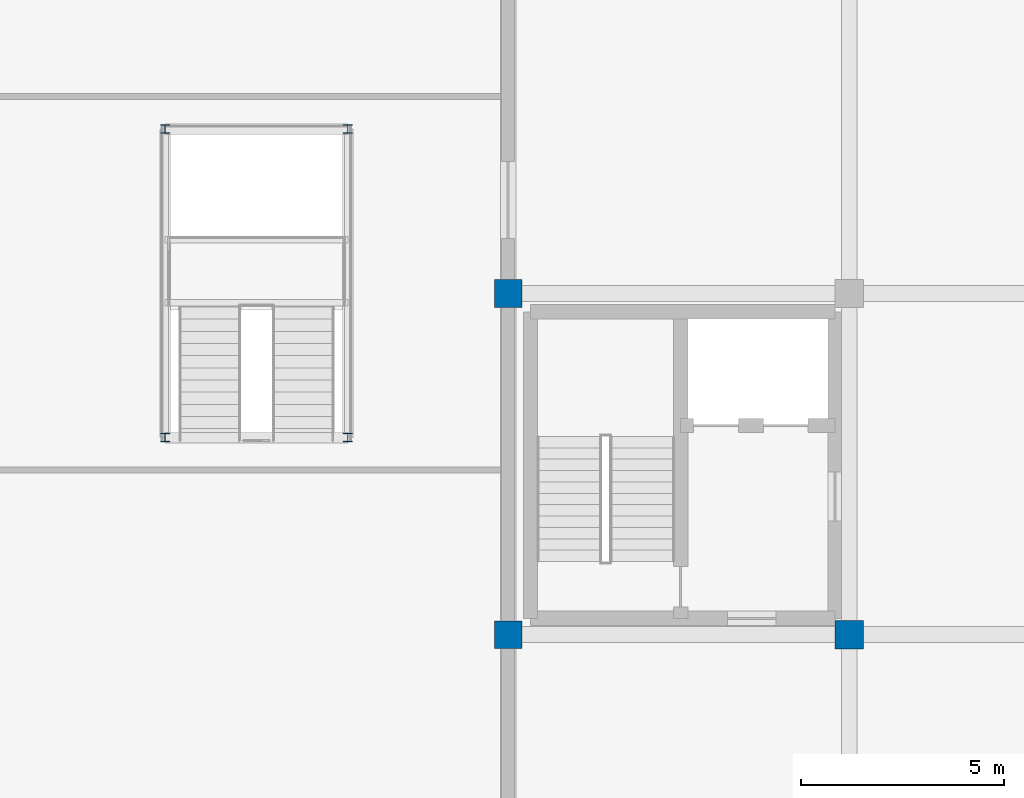
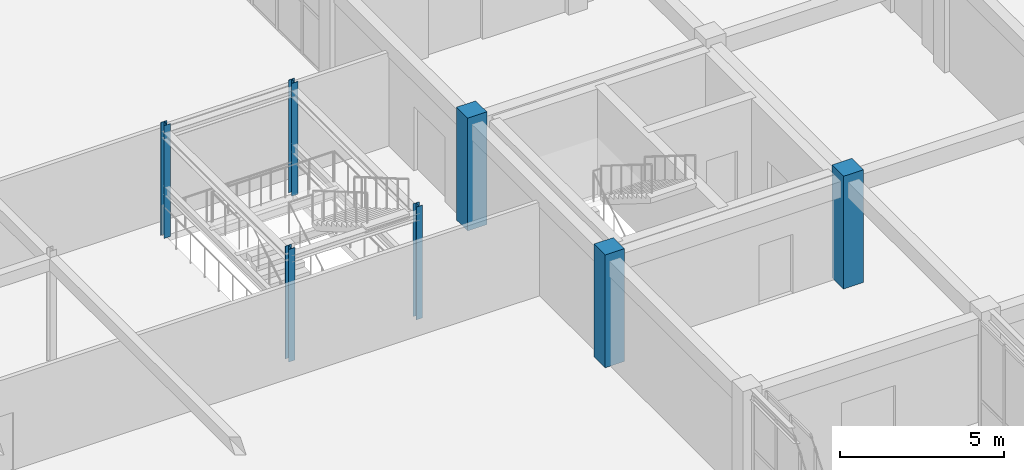
# One storey, part 4 of 140: 7 columns.
"""IFC4 building model written with IfcOpenShell, lengths in metres."""

from ifc_helpers import new_model, si_unit, direction, frame, origin, origin_2d, place, context, subcontext, project, spatial, rectangle, i_section, extrude, material, material_profile, profile_set, type_object, element, save


model = new_model("IFC4")

# Units and contexts
model_context = context("Model", 3, precision=1e-05, world=origin(), true_north=direction((0.0, 1.0)))
body_context = subcontext(model_context, "Body", "Model", "MODEL_VIEW")
ifc_project = project(units=[si_unit("LENGTHUNIT", "METRE"), si_unit("AREAUNIT", "SQUARE_METRE"), si_unit("VOLUMEUNIT", "CUBIC_METRE"), si_unit("PLANEANGLEUNIT", "RADIAN"), si_unit("MASSUNIT", "GRAM", prefix="KILO")], contexts=[model_context])

# Site, building, storey
site_placement = place(None, origin())
site = spatial("IfcSite", under=ifc_project, at=site_placement, CompositionType="ELEMENT")
building_placement = place(site_placement, origin())
building = spatial("IfcBuilding", under=site, at=building_placement, Name="Trelvath General Hospital", CompositionType="ELEMENT")
storey_placement = place(building_placement, frame((0.0, 0.0, 16.199951171875)))
storey = spatial("IfcBuildingStorey", under=building, at=storey_placement, Name="L04", CompositionType="ELEMENT", Elevation=16.199951171875)

# Columns
ifc_material_1 = material(Name="Concrete C40/50", Category="concrete")
ifc_material_profile_1 = material_profile(ifc_material_1, rectangle(XDim=0.679931640625, YDim=0.679931640625, at=origin_2d()), Name="RC680x680")
ifc_profile_set_1 = profile_set([ifc_material_profile_1], Name="Concrete C40/50")
column_type_1 = type_object("IfcColumnType", Name="Column RC680", PredefinedType="COLUMN", material=ifc_profile_set_1)
for number, where, z_axis, x_axis, name in (
    (1, (75.60009765625, 50.39990234375, 0.0), (0.0, 0.0, 1.0), (1.0, 0.0, 0.0), "Column C-10G L04"),
    (2, (75.60009765625, 58.800048828125, 0.0), (0.0, 0.0, 1.0), (1.0, 0.0, 0.0), "Column C-10H L04"),
):
    element("IfcColumn", number, at=place(storey_placement, frame(where, z_axis=z_axis, x_axis=x_axis)), inside=storey, type_object=column_type_1, Name=name, PredefinedType="COLUMN", context=body_context, shape_type="SweptSolid", body=[
        extrude(rectangle(XDim=0.679931640625, YDim=0.679931640625, at=origin_2d()), origin(), (0.0, 0.0, 1.0), 4.199951171875),
    ])
ifc_material_2 = material(Name="Concrete C40/50", Category="concrete")
ifc_material_profile_2 = material_profile(ifc_material_2, rectangle(XDim=0.699951171875, YDim=0.699951171875, at=origin_2d()), Name="RC700x700")
ifc_profile_set_2 = profile_set([ifc_material_profile_2], Name="Concrete C40/50")
column_type_2 = type_object("IfcColumnType", Name="Column RC700", PredefinedType="COLUMN", material=ifc_profile_set_2)
column_placement = place(storey_placement, frame((84.0, 50.39990234375, 0.0), z_axis=(0.0, 0.0, 1.0), x_axis=(1.0, 0.0, 0.0)))
element("IfcColumn", 3, at=column_placement, inside=storey, type_object=column_type_2, Name="Column C-11G L04", PredefinedType="COLUMN", context=body_context, shape_type="SweptSolid", body=[
    extrude(rectangle(XDim=0.699951171875, YDim=0.699951171875, at=origin_2d()), origin(), (0.0, 0.0, 1.0), 4.199951171875),
])
ifc_material_3 = material(Name="Steel S355", Category="steel")
ifc_material_profile_3 = material_profile(ifc_material_3, i_section(OverallWidth=0.219970703125, OverallDepth=0.2099609375, WebThickness=0.007080078125, FlangeThickness=0.010986328125, at=origin_2d()), Name="HEA220")
ifc_profile_set_3 = profile_set([ifc_material_profile_3], Name="Steel S355")
column_type_3 = type_object("IfcColumnType", Name="StairPost HEA220", PredefinedType="COLUMN", material=ifc_profile_set_3)
for number, where, z_axis, x_axis, name in (
    (4, (67.14990234375, 55.25, 0.0), (0.0, 0.0, 1.0), (1.0, 0.0, 0.0), "Atrium Stair Post CUBE-W 1 L04"),
    (5, (71.64990234375, 55.25, 0.0), (0.0, 0.0, 1.0), (1.0, 0.0, 0.0), "Atrium Stair Post CUBE-W 2 L04"),
    (6, (67.14990234375, 62.85009765625, 0.0), (0.0, 0.0, 1.0), (1.0, 0.0, 0.0), "Atrium Stair Post CUBE-W 3 L04"),
    (7, (71.64990234375, 62.85009765625, 0.0), (0.0, 0.0, 1.0), (1.0, 0.0, 0.0), "Atrium Stair Post CUBE-W 4 L04"),
):
    element("IfcColumn", number, at=place(storey_placement, frame(where, z_axis=z_axis, x_axis=x_axis)), inside=storey, type_object=column_type_3, Name=name, PredefinedType="COLUMN", context=body_context, shape_type="SweptSolid", body=[
        extrude(i_section(OverallWidth=0.219970703125, OverallDepth=0.2099609375, WebThickness=0.007080078125, FlangeThickness=0.010986328125, at=origin_2d()), origin(), (0.0, 0.0, 1.0), 4.199951171875),
    ])

save(model, "model.ifc")
